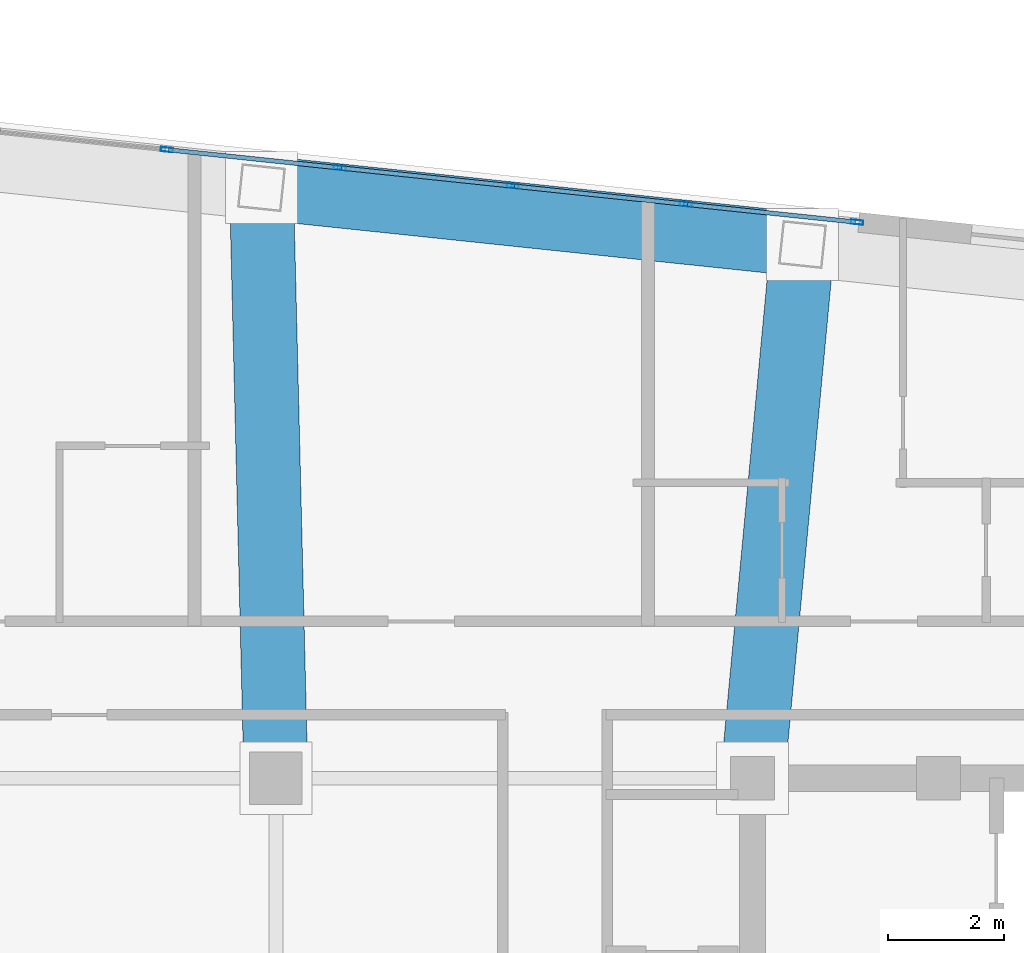
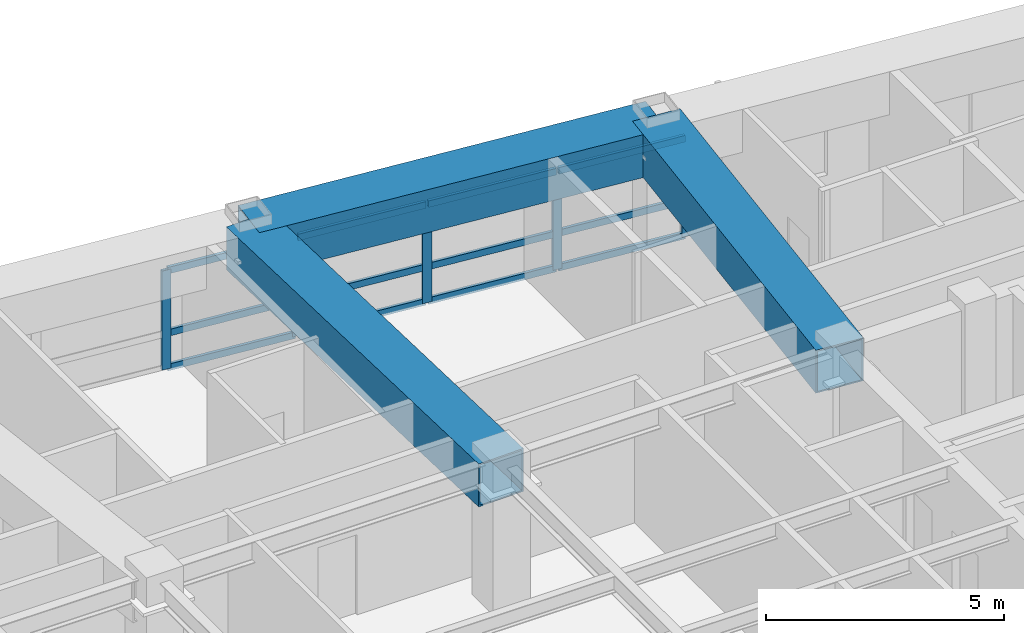
# One storey, part 6 of 16: 17 members, 3 beams, 1 element without a shape of its own.
"""IFC4 building model written with IfcOpenShell, lengths in metres."""

from ifc_helpers import new_model, si_unit, direction, frame, origin, origin_2d, place, context, subcontext, project, spatial, hollow_rectangle, extrude, material, layer, layer_set, material_profile, profile_set, type_object, element, aggregate, save


model = new_model("IFC4")

# Units and contexts
model_context = context("Model", 3, precision=1e-05, world=origin(), true_north=direction((0.0, 1.0)))
body_context = subcontext(model_context, "Body", "Model", "MODEL_VIEW")
ifc_project = project(units=[si_unit("LENGTHUNIT", "METRE"), si_unit("AREAUNIT", "SQUARE_METRE"), si_unit("VOLUMEUNIT", "CUBIC_METRE"), si_unit("PLANEANGLEUNIT", "RADIAN"), si_unit("MASSUNIT", "GRAM", prefix="KILO")], contexts=[model_context])

# Site, building, storey
site_placement = place(None, origin())
site = spatial("IfcSite", under=ifc_project, at=site_placement, CompositionType="ELEMENT")
building_placement = place(site_placement, origin())
building = spatial("IfcBuilding", under=site, at=building_placement, Name="Voryun Gate Residences", CompositionType="ELEMENT")
storey_placement = place(building_placement, frame((0.0, 0.0, 260.0)))
storey = spatial("IfcBuildingStorey", under=building, at=storey_placement, Name="L64", CompositionType="ELEMENT", Elevation=260.0)

# Beams
ifc_material_1 = material(Name="Steel SM420", Category="steel")
ifc_material_profile_1 = material_profile(ifc_material_1, hollow_rectangle(XDim=1.10009765625, YDim=1.10009765625, WallThickness=0.035888671875, at=origin_2d()), Name="BOX-1100x1100x36")
ifc_profile_set_1 = profile_set([ifc_material_profile_1], Name="Steel SM420")
beam_type = type_object("IfcBeamType", Name="BM_ARCH_RIB", PredefinedType="USERDEFINED", material=ifc_profile_set_1)
beam_1_placement = place(storey_placement, frame((13.26025390625, 16.5830078125, 3.10009765625), z_axis=(-0.994523018663, 0.104517775278, 0.0), x_axis=(-0.104517775278, -0.994523018663, 0.0)))
element("IfcBeam", 1, at=beam_1_placement, inside=storey, type_object=beam_type, Name="BM-L64-SPAND-12", ObjectType="GIRDER", PredefinedType="USERDEFINED", context=body_context, shape_type="SweptSolid", body=[
    extrude(hollow_rectangle(XDim=1.10009765625, YDim=1.10009765625, WallThickness=0.035888671875, at=origin_2d()), origin(), (0.0, 0.0, 1.0), 9.35986328125),
])
beam_2_placement = place(storey_placement, frame((12.39990234375, 7.39990234375, 3.10009765625), z_axis=(0.093280030115, 0.995639912811, 0.0), x_axis=(-0.995639912811, 0.093280030115, 0.0)))
element("IfcBeam", 2, at=beam_2_placement, inside=storey, type_object=beam_type, Name="BM-L64-RAD-N2", ObjectType="GIRDER", PredefinedType="USERDEFINED", context=body_context, shape_type="SweptSolid", body=[
    extrude(hollow_rectangle(XDim=1.10009765625, YDim=1.10009765625, WallThickness=0.035888671875, at=origin_2d()), origin(), (0.0, 0.0, 1.0), 9.223388671875),
])
beam_3_placement = place(storey_placement, frame((4.199951171875, 7.39990234375, 3.10009765625), z_axis=(-0.024427489288, 0.999701604364, 0.0), x_axis=(-0.999701604364, -0.024427489288, 0.0)))
element("IfcBeam", 3, at=beam_3_placement, inside=storey, type_object=beam_type, Name="BM-L64-RAD-N3", ObjectType="GIRDER", PredefinedType="USERDEFINED", context=body_context, shape_type="SweptSolid", body=[
    extrude(hollow_rectangle(XDim=1.10009765625, YDim=1.10009765625, WallThickness=0.035888671875, at=origin_2d()), origin(), (0.0, 0.0, 1.0), 10.164306640625),
])

# Curtain wall, members
ifc_material_2 = material(Name="Anodised aluminium", Category="aluminium")
ifc_layer = layer(ifc_material_2, 0.2099609375, Name="CW_SYS_SKYGARDEN_DARK_GLASS")
ifc_layer_set = layer_set([ifc_layer], Name="Anodised aluminium")
curtain_wall_type = type_object("IfcCurtainWallType", Name="CW_SYS_SKYGARDEN_DARK_GLASS", PredefinedType="NOTDEFINED", material=ifc_layer_set)
curtain_wall_placement = place(storey_placement, origin())
curtain_wall = element("IfcCurtainWall", 4, at=curtain_wall_placement, inside=storey, type_object=curtain_wall_type, Name="Curtain wall CW5-L64-SG-11", PredefinedType="NOTDEFINED")
ifc_material_3 = material(Name="Anodised aluminium", Category="aluminium")
ifc_material_profile_2 = material_profile(ifc_material_3, hollow_rectangle(XDim=0.074951171875, YDim=0.2099609375, WallThickness=0.0048828125, at=origin_2d()), Name="ALU-MULL-210x75x5")
ifc_profile_set_2 = profile_set([ifc_material_profile_2], Name="Anodised aluminium")
member_type_1 = type_object("IfcMemberType", Name="CW_MULL_SKY", PredefinedType="MULLION", material=ifc_profile_set_2)
member_1_placement = place(storey_placement, frame((2.323974609375, 18.215087890625, 0.0), z_axis=(0.0, 0.0, 1.0), x_axis=(0.104532256285, 0.994521496699, 0.0)))
member_1 = element("IfcMember", 5, at=member_1_placement, type_object=member_type_1, Name="CW5 mullion 7", PredefinedType="MULLION", context=body_context, shape_type="SweptSolid", body=[
    extrude(hollow_rectangle(XDim=0.074951171875, YDim=0.2099609375, WallThickness=0.0048828125, at=origin_2d()), origin(), (0.0, 0.0, 1.0), 2.5400390625),
])
member_2_placement = place(storey_placement, frame((5.300537109375, 17.902099609375, 0.0), z_axis=(0.0, 0.0, 1.0), x_axis=(0.104532256285, 0.994521496699, 0.0)))
member_2 = element("IfcMember", 6, at=member_2_placement, type_object=member_type_1, Name="CW5 mullion 8", PredefinedType="MULLION", context=body_context, shape_type="SweptSolid", body=[
    extrude(hollow_rectangle(XDim=0.074951171875, YDim=0.2099609375, WallThickness=0.0048828125, at=origin_2d()), origin(), (0.0, 0.0, 1.0), 2.5400390625),
])
member_3_placement = place(storey_placement, frame((8.27734375, 17.58935546875, 0.0), z_axis=(0.0, 0.0, 1.0), x_axis=(0.104532256285, 0.994521496699, 0.0)))
member_3 = element("IfcMember", 7, at=member_3_placement, type_object=member_type_1, Name="CW5 mullion 9", PredefinedType="MULLION", context=body_context, shape_type="SweptSolid", body=[
    extrude(hollow_rectangle(XDim=0.074951171875, YDim=0.2099609375, WallThickness=0.0048828125, at=origin_2d()), origin(), (0.0, 0.0, 1.0), 2.5400390625),
])
member_4_placement = place(storey_placement, frame((11.25390625, 17.2763671875, 0.0), z_axis=(0.0, 0.0, 1.0), x_axis=(0.104532256285, 0.994521496699, 0.0)))
member_4 = element("IfcMember", 8, at=member_4_placement, type_object=member_type_1, Name="CW5 mullion 10", PredefinedType="MULLION", context=body_context, shape_type="SweptSolid", body=[
    extrude(hollow_rectangle(XDim=0.074951171875, YDim=0.2099609375, WallThickness=0.0048828125, at=origin_2d()), origin(), (0.0, 0.0, 1.0), 2.5400390625),
])
member_5_placement = place(storey_placement, frame((14.20068359375, 16.966796875, 0.0), z_axis=(0.0, 0.0, 1.0), x_axis=(0.104532256285, 0.994521496699, 0.0)))
member_5 = element("IfcMember", 9, at=member_5_placement, type_object=member_type_1, Name="CW5 mullion 11", PredefinedType="MULLION", context=body_context, shape_type="SweptSolid", body=[
    extrude(hollow_rectangle(XDim=0.074951171875, YDim=0.2099609375, WallThickness=0.0048828125, at=origin_2d()), origin(), (0.0, 0.0, 1.0), 2.5400390625),
])
ifc_material_4 = material(Name="Anodised aluminium", Category="aluminium")
ifc_material_profile_3 = material_profile(ifc_material_4, hollow_rectangle(XDim=0.074951171875, YDim=0.169921875, WallThickness=0.0048828125, at=origin_2d()), Name="ALU-TRAN-170x75x5")
ifc_profile_set_3 = profile_set([ifc_material_profile_3], Name="Anodised aluminium")
member_type_2 = type_object("IfcMemberType", Name="CW_TRAN_SKY", PredefinedType="USERDEFINED", material=ifc_profile_set_3)
member_6_placement = place(storey_placement, frame((2.353759765625, 18.2119140625, 0.030029296875), z_axis=(0.994520038301, -0.104546130575, 0.0), x_axis=(0.104546130575, 0.994520038301, 0.0)))
member_6 = element("IfcMember", 10, at=member_6_placement, type_object=member_type_2, Name="CW5 transom 7.1", ObjectType="TRANSOM", PredefinedType="USERDEFINED", context=body_context, shape_type="SweptSolid", body=[
    extrude(hollow_rectangle(XDim=0.074951171875, YDim=0.169921875, WallThickness=0.0048828125, at=origin_2d()), origin(), (0.0, 0.0, 1.0), 2.93310546875),
])
member_7_placement = place(storey_placement, frame((2.353759765625, 18.2119140625, 0.914306640625), z_axis=(0.994520038301, -0.104546130575, 0.0), x_axis=(0.104546130575, 0.994520038301, 0.0)))
member_7 = element("IfcMember", 11, at=member_7_placement, type_object=member_type_2, Name="CW5 transom 7.2", ObjectType="TRANSOM", PredefinedType="USERDEFINED", context=body_context, shape_type="SweptSolid", body=[
    extrude(hollow_rectangle(XDim=0.074951171875, YDim=0.169921875, WallThickness=0.0048828125, at=origin_2d()), origin(), (0.0, 0.0, 1.0), 2.93310546875),
])
member_8_placement = place(storey_placement, frame((2.353759765625, 18.2119140625, 2.510009765625), z_axis=(0.994520038301, -0.104546130575, 0.0), x_axis=(0.104546130575, 0.994520038301, 0.0)))
member_8 = element("IfcMember", 12, at=member_8_placement, type_object=member_type_2, Name="CW5 transom 7.3", ObjectType="TRANSOM", PredefinedType="USERDEFINED", context=body_context, shape_type="SweptSolid", body=[
    extrude(hollow_rectangle(XDim=0.074951171875, YDim=0.169921875, WallThickness=0.0048828125, at=origin_2d()), origin(), (0.0, 0.0, 1.0), 2.93310546875),
])
member_9_placement = place(storey_placement, frame((5.33056640625, 17.899169921875, 0.030029296875), z_axis=(0.994520038301, -0.104546130575, 0.0), x_axis=(0.104546130575, 0.994520038301, 0.0)))
member_9 = element("IfcMember", 13, at=member_9_placement, type_object=member_type_2, Name="CW5 transom 8.1", ObjectType="TRANSOM", PredefinedType="USERDEFINED", context=body_context, shape_type="SweptSolid", body=[
    extrude(hollow_rectangle(XDim=0.074951171875, YDim=0.169921875, WallThickness=0.0048828125, at=origin_2d()), origin(), (0.0, 0.0, 1.0), 2.93310546875),
])
member_10_placement = place(storey_placement, frame((5.33056640625, 17.899169921875, 0.914306640625), z_axis=(0.994520038301, -0.104546130575, 0.0), x_axis=(0.104546130575, 0.994520038301, 0.0)))
member_10 = element("IfcMember", 14, at=member_10_placement, type_object=member_type_2, Name="CW5 transom 8.2", ObjectType="TRANSOM", PredefinedType="USERDEFINED", context=body_context, shape_type="SweptSolid", body=[
    extrude(hollow_rectangle(XDim=0.074951171875, YDim=0.169921875, WallThickness=0.0048828125, at=origin_2d()), origin(), (0.0, 0.0, 1.0), 2.93310546875),
])
member_11_placement = place(storey_placement, frame((5.33056640625, 17.899169921875, 2.510009765625), z_axis=(0.994520038301, -0.104546130575, 0.0), x_axis=(0.104546130575, 0.994520038301, 0.0)))
member_11 = element("IfcMember", 15, at=member_11_placement, type_object=member_type_2, Name="CW5 transom 8.3", ObjectType="TRANSOM", PredefinedType="USERDEFINED", context=body_context, shape_type="SweptSolid", body=[
    extrude(hollow_rectangle(XDim=0.074951171875, YDim=0.169921875, WallThickness=0.0048828125, at=origin_2d()), origin(), (0.0, 0.0, 1.0), 2.93310546875),
])
member_12_placement = place(storey_placement, frame((8.30712890625, 17.586181640625, 0.030029296875), z_axis=(0.994520038301, -0.104546130575, 0.0), x_axis=(0.104546130575, 0.994520038301, 0.0)))
member_12 = element("IfcMember", 16, at=member_12_placement, type_object=member_type_2, Name="CW5 transom 9.1", ObjectType="TRANSOM", PredefinedType="USERDEFINED", context=body_context, shape_type="SweptSolid", body=[
    extrude(hollow_rectangle(XDim=0.074951171875, YDim=0.169921875, WallThickness=0.0048828125, at=origin_2d()), origin(), (0.0, 0.0, 1.0), 2.93310546875),
])
member_13_placement = place(storey_placement, frame((8.30712890625, 17.586181640625, 0.914306640625), z_axis=(0.994520038301, -0.104546130575, 0.0), x_axis=(0.104546130575, 0.994520038301, 0.0)))
member_13 = element("IfcMember", 17, at=member_13_placement, type_object=member_type_2, Name="CW5 transom 9.2", ObjectType="TRANSOM", PredefinedType="USERDEFINED", context=body_context, shape_type="SweptSolid", body=[
    extrude(hollow_rectangle(XDim=0.074951171875, YDim=0.169921875, WallThickness=0.0048828125, at=origin_2d()), origin(), (0.0, 0.0, 1.0), 2.93310546875),
])
member_14_placement = place(storey_placement, frame((8.30712890625, 17.586181640625, 2.510009765625), z_axis=(0.994520038301, -0.104546130575, 0.0), x_axis=(0.104546130575, 0.994520038301, 0.0)))
member_14 = element("IfcMember", 18, at=member_14_placement, type_object=member_type_2, Name="CW5 transom 9.3", ObjectType="TRANSOM", PredefinedType="USERDEFINED", context=body_context, shape_type="SweptSolid", body=[
    extrude(hollow_rectangle(XDim=0.074951171875, YDim=0.169921875, WallThickness=0.0048828125, at=origin_2d()), origin(), (0.0, 0.0, 1.0), 2.93310546875),
])
member_15_placement = place(storey_placement, frame((11.28369140625, 17.2734375, 0.030029296875), z_axis=(0.994521569156, -0.104531566925, 0.0), x_axis=(0.104531566925, 0.994521569156, 0.0)))
member_15 = element("IfcMember", 19, at=member_15_placement, type_object=member_type_2, Name="CW5 transom 10.1", ObjectType="TRANSOM", PredefinedType="USERDEFINED", context=body_context, shape_type="SweptSolid", body=[
    extrude(hollow_rectangle(XDim=0.074951171875, YDim=0.169921875, WallThickness=0.0048828125, at=origin_2d()), origin(), (0.0, 0.0, 1.0), 2.903076171875),
])
member_16_placement = place(storey_placement, frame((11.28369140625, 17.2734375, 0.914306640625), z_axis=(0.994521569156, -0.104531566925, 0.0), x_axis=(0.104531566925, 0.994521569156, 0.0)))
member_16 = element("IfcMember", 20, at=member_16_placement, type_object=member_type_2, Name="CW5 transom 10.2", ObjectType="TRANSOM", PredefinedType="USERDEFINED", context=body_context, shape_type="SweptSolid", body=[
    extrude(hollow_rectangle(XDim=0.074951171875, YDim=0.169921875, WallThickness=0.0048828125, at=origin_2d()), origin(), (0.0, 0.0, 1.0), 2.903076171875),
])
member_17_placement = place(storey_placement, frame((11.28369140625, 17.2734375, 2.510009765625), z_axis=(0.994521569156, -0.104531566925, 0.0), x_axis=(0.104531566925, 0.994521569156, 0.0)))
member_17 = element("IfcMember", 21, at=member_17_placement, type_object=member_type_2, Name="CW5 transom 10.3", ObjectType="TRANSOM", PredefinedType="USERDEFINED", context=body_context, shape_type="SweptSolid", body=[
    extrude(hollow_rectangle(XDim=0.074951171875, YDim=0.169921875, WallThickness=0.0048828125, at=origin_2d()), origin(), (0.0, 0.0, 1.0), 2.903076171875),
])
aggregate(curtain_wall, [member_1, member_2, member_3, member_4, member_5, member_6, member_7, member_8, member_9, member_10, member_11, member_12, member_13, member_14, member_15, member_16, member_17])

save(model, "model.ifc")
